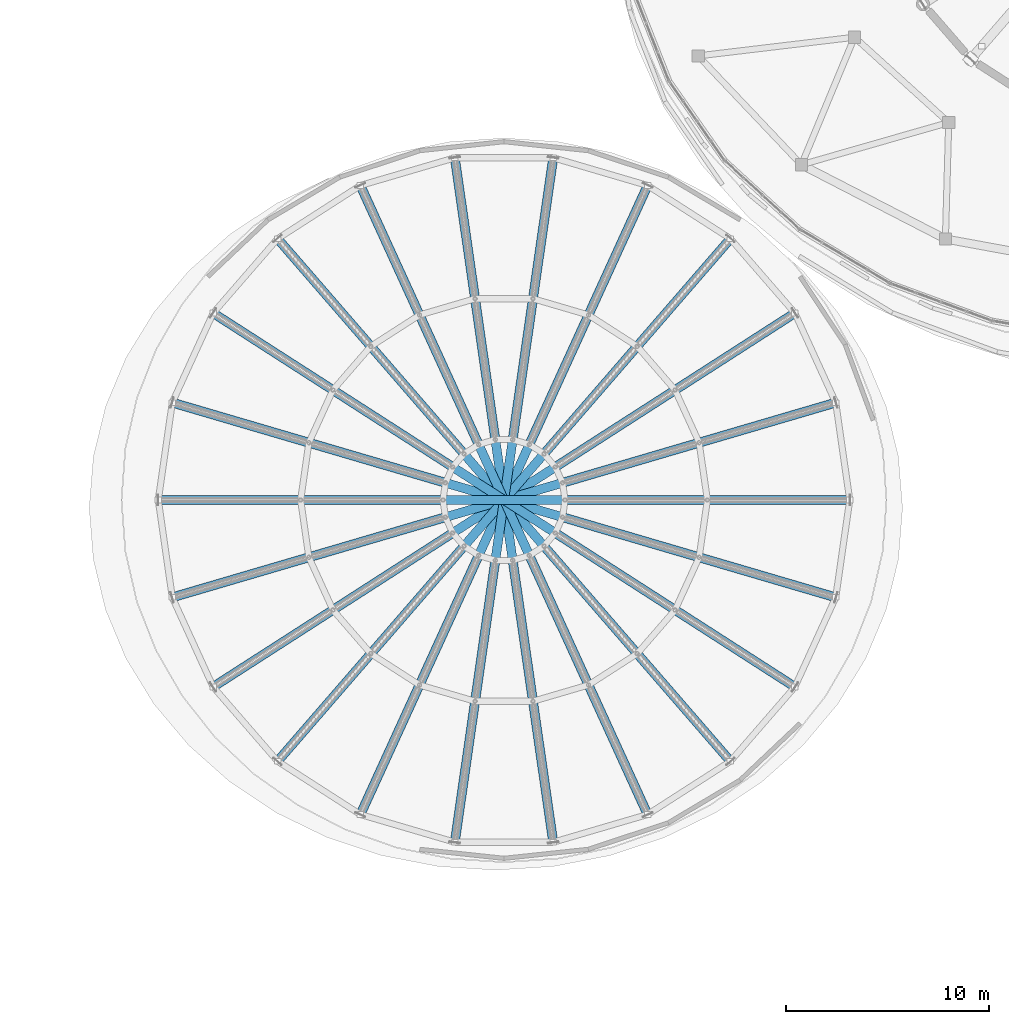
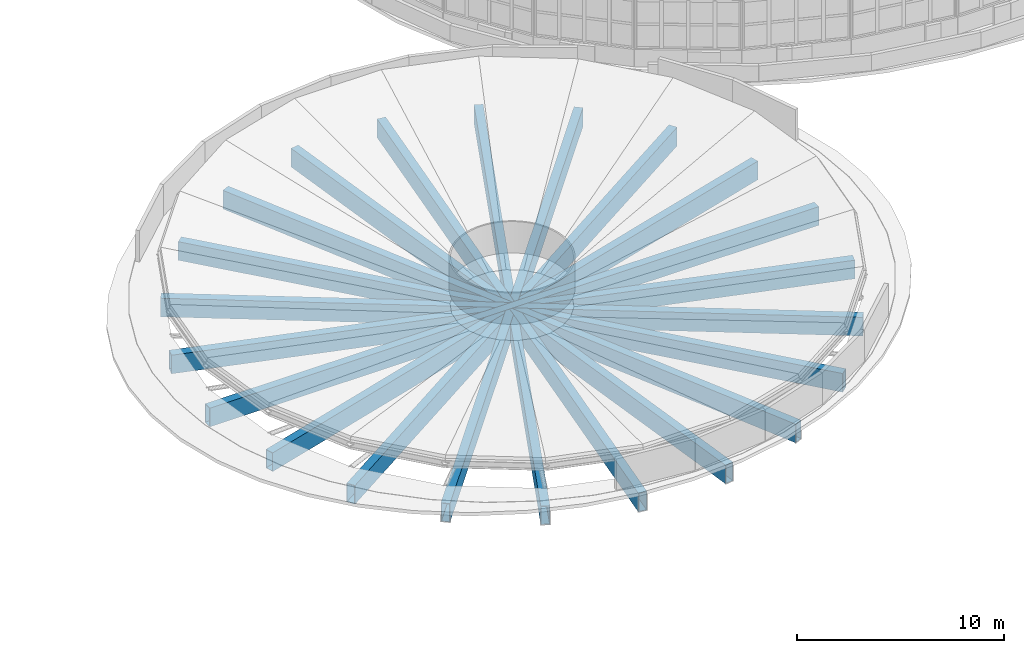
# One storey, part 7 of 69: 11 beams.
"""IFC4 building model written with IfcOpenShell, lengths in metres."""

from ifc_helpers import new_model, si_unit, direction, frame, origin, origin_2d, place, context, subcontext, project, spatial, hollow_rectangle, extrude, material, material_profile, profile_set, type_object, element, save


model = new_model("IFC4")

# Units and contexts
model_context = context("Model", 3, precision=1e-05, world=origin(), true_north=direction((0.0, 1.0)))
body_context = subcontext(model_context, "Body", "Model", "MODEL_VIEW")
ifc_project = project(units=[si_unit("LENGTHUNIT", "METRE"), si_unit("AREAUNIT", "SQUARE_METRE"), si_unit("VOLUMEUNIT", "CUBIC_METRE"), si_unit("PLANEANGLEUNIT", "RADIAN"), si_unit("MASSUNIT", "GRAM", prefix="KILO")], contexts=[model_context])

# Site, building, storey
site_placement = place(None, origin())
site = spatial("IfcSite", under=ifc_project, at=site_placement, CompositionType="ELEMENT")
building_placement = place(site_placement, origin())
building = spatial("IfcBuilding", under=site, at=building_placement, Name="Pelvatis Terrace Science Centre", CompositionType="ELEMENT")
storey_placement = place(building_placement, frame((0.0, 0.0, 15.0)))
storey = spatial("IfcBuildingStorey", under=building, at=storey_placement, Name="L03", CompositionType="ELEMENT", Elevation=15.0)

# Beams
ifc_material = material(Name="Structural steel S355", Category="steel")
ifc_material_profile = material_profile(ifc_material, hollow_rectangle(XDim=0.449951171875, YDim=1.10009765625, WallThickness=0.02197265625, at=origin_2d()), Name="RHS 1100x450x22.0")
ifc_profile_set = profile_set([ifc_material_profile], Name="Structural steel S355")
beam_type = type_object("IfcBeamType", Name="BM-STL-BOX1100", PredefinedType="BEAM", material=ifc_profile_set)
beam_1_placement = place(storey_placement, frame((95.0, 54.60009765625, -1.550048828125), z_axis=(-1.0, 0.0, 0.0), x_axis=(0.0, -1.0, 0.0)))
element("IfcBeam", 1, at=beam_1_placement, inside=storey, type_object=beam_type, Name="Bowl roof diametral tie girder 01", PredefinedType="BEAM", context=body_context, shape_type="SweptSolid", body=[
    extrude(hollow_rectangle(XDim=0.449951171875, YDim=1.10009765625, WallThickness=0.02197265625, at=origin_2d()), origin(), (0.0, 0.0, 1.0), 34.0),
])
beam_2_placement = place(storey_placement, frame((94.311279296875, 59.389404296875, -1.550048828125), z_axis=(-0.959492894495, -0.281732826297, 0.0), x_axis=(0.281732826297, -0.959492894495, 0.0)))
element("IfcBeam", 2, at=beam_2_placement, inside=storey, type_object=beam_type, Name="Bowl roof diametral tie girder 02", PredefinedType="BEAM", context=body_context, shape_type="SweptSolid", body=[
    extrude(hollow_rectangle(XDim=0.449951171875, YDim=1.10009765625, WallThickness=0.02197265625, at=origin_2d()), origin(), (0.0, 0.0, 1.0), 33.999755859375),
])
for number, where, z_axis, x_axis, name in (
    (3, (92.30126953125, 63.791015625, -1.550048828125), (-0.841252192001, -0.540642903822, 0.0), (0.540642903822, -0.841252192001, 0.0), "Bowl roof diametral tie girder 03"),
    (4, (89.132568359375, 67.44775390625, -1.550048828125), (-0.654857544614, -0.755752337914, 0.0), (0.755752337914, -0.654857544614, 0.0), "Bowl roof diametral tie girder 04"),
    (5, (85.06201171875, 70.063720703125, -1.550048828125), (-0.415412869051, -0.909632974461, 0.0), (0.909632974461, -0.415412869051, 0.0), "Bowl roof diametral tie girder 05"),
):
    element("IfcBeam", number, at=place(storey_placement, frame(where, z_axis=z_axis, x_axis=x_axis)), inside=storey, type_object=beam_type, Name=name, PredefinedType="BEAM", context=body_context, shape_type="SweptSolid", body=[
        extrude(hollow_rectangle(XDim=0.449951171875, YDim=1.10009765625, WallThickness=0.02197265625, at=origin_2d()), origin(), (0.0, 0.0, 1.0), 34.0),
    ])
for number, where, z_axis, x_axis, name in (
    (6, (80.41943359375, 71.427001953125, -1.550048828125), (-0.142319013684, -0.989820841539, 0.0), (0.989820841539, -0.142319013684, 0.0), "Bowl roof diametral tie girder 06"),
    (7, (75.58056640625, 71.427001953125, -1.550048828125), (0.142319013684, -0.989820841539, 0.0), (0.989820841539, 0.142319013684, 0.0), "Bowl roof diametral tie girder 07"),
):
    element("IfcBeam", number, at=place(storey_placement, frame(where, z_axis=z_axis, x_axis=x_axis)), inside=storey, type_object=beam_type, Name=name, PredefinedType="BEAM", context=body_context, shape_type="SweptSolid", body=[
        extrude(hollow_rectangle(XDim=0.449951171875, YDim=1.10009765625, WallThickness=0.02197265625, at=origin_2d()), origin(), (0.0, 0.0, 1.0), 34.000244140625),
    ])
for number, where, z_axis, x_axis, name in (
    (8, (70.93798828125, 70.063720703125, -1.550048828125), (0.415412869051, -0.909632974461, 0.0), (0.909632974461, 0.415412869051, 0.0), "Bowl roof diametral tie girder 08"),
    (9, (66.867431640625, 67.44775390625, -1.550048828125), (0.654857544614, -0.755752337914, 0.0), (0.755752337914, 0.654857544614, 0.0), "Bowl roof diametral tie girder 09"),
    (10, (63.69873046875, 63.791015625, -1.550048828125), (0.841252192001, -0.540642903822, 0.0), (0.540642903822, 0.841252192001, 0.0), "Bowl roof diametral tie girder 10"),
):
    element("IfcBeam", number, at=place(storey_placement, frame(where, z_axis=z_axis, x_axis=x_axis)), inside=storey, type_object=beam_type, Name=name, PredefinedType="BEAM", context=body_context, shape_type="SweptSolid", body=[
        extrude(hollow_rectangle(XDim=0.449951171875, YDim=1.10009765625, WallThickness=0.02197265625, at=origin_2d()), origin(), (0.0, 0.0, 1.0), 34.0),
    ])
beam_3_placement = place(storey_placement, frame((61.688720703125, 59.389404296875, -1.550048828125), z_axis=(0.959492894495, -0.281732826297, 0.0), x_axis=(0.281732826297, 0.959492894495, 0.0)))
element("IfcBeam", 11, at=beam_3_placement, inside=storey, type_object=beam_type, Name="Bowl roof diametral tie girder 11", PredefinedType="BEAM", context=body_context, shape_type="SweptSolid", body=[
    extrude(hollow_rectangle(XDim=0.449951171875, YDim=1.10009765625, WallThickness=0.02197265625, at=origin_2d()), origin(), (0.0, 0.0, 1.0), 33.999755859375),
])

save(model, "model.ifc")
